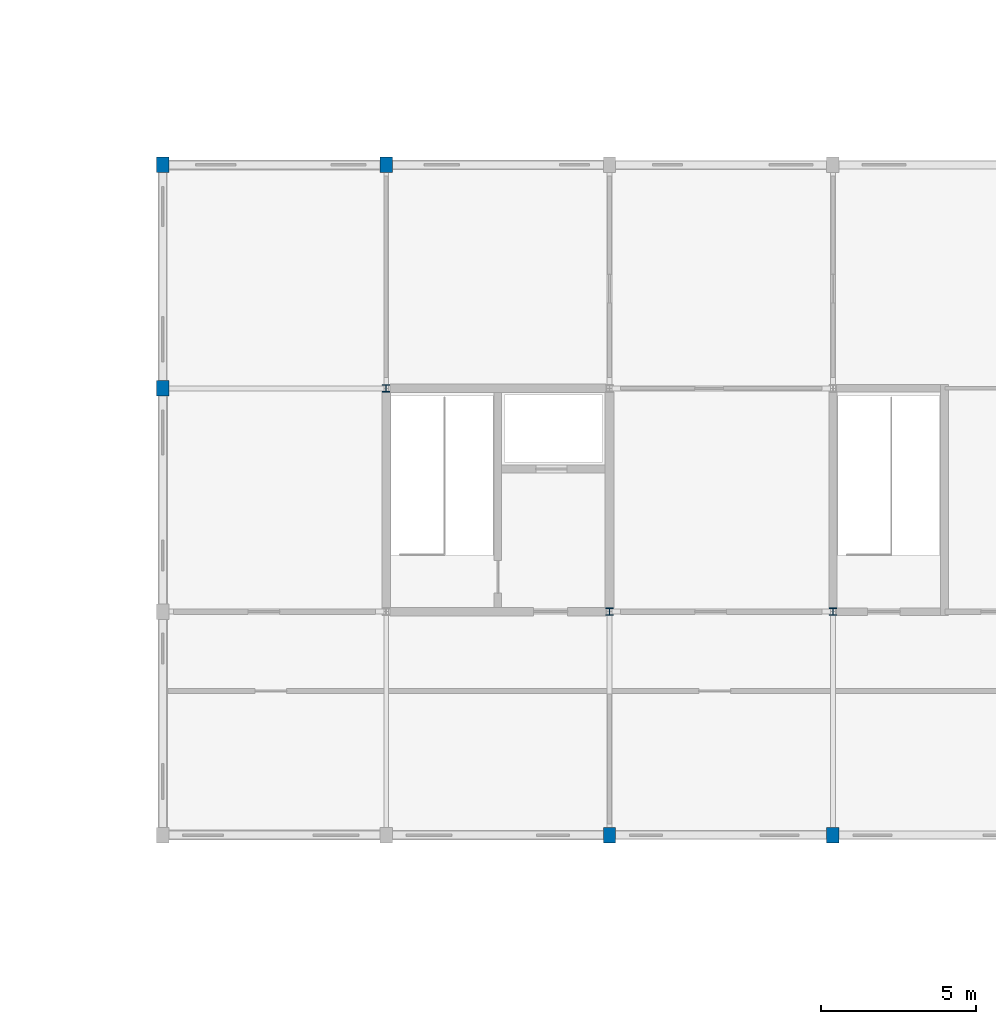
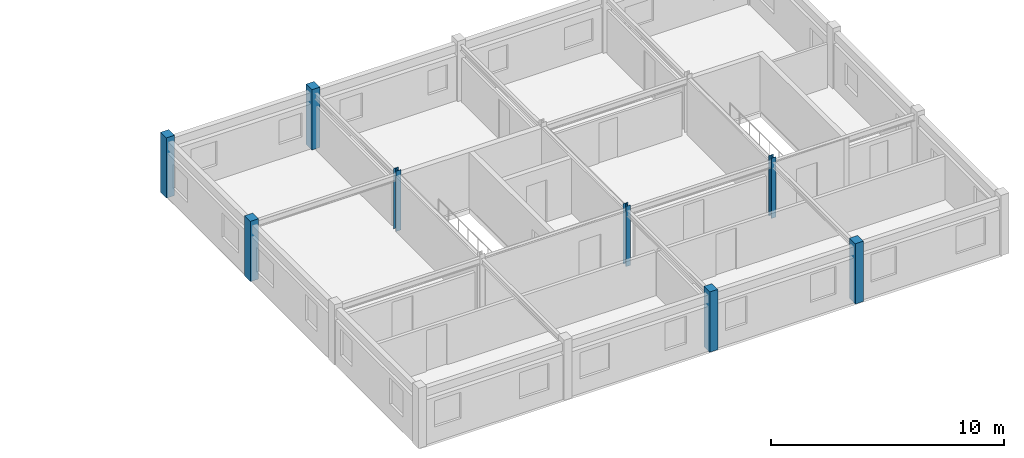
# One storey, part 6 of 50: 8 columns.
"""IFC4 building model written with IfcOpenShell, lengths in metres."""

from ifc_helpers import new_model, si_unit, direction, frame, origin, origin_2d, place, context, subcontext, project, spatial, rectangle, i_section, extrude, material, material_profile, profile_set, type_object, element, save


model = new_model("IFC4")

# Units and contexts
model_context = context("Model", 3, precision=1e-05, world=origin(), true_north=direction((0.0, 1.0)))
body_context = subcontext(model_context, "Body", "Model", "MODEL_VIEW")
ifc_project = project(units=[si_unit("LENGTHUNIT", "METRE"), si_unit("AREAUNIT", "SQUARE_METRE"), si_unit("VOLUMEUNIT", "CUBIC_METRE"), si_unit("PLANEANGLEUNIT", "RADIAN"), si_unit("MASSUNIT", "GRAM", prefix="KILO"), si_unit("THERMODYNAMICTEMPERATUREUNIT", "KELVIN"), si_unit("POWERUNIT", "WATT")], contexts=[model_context])

# Site, building, storey
site_placement = place(None, origin())
site = spatial("IfcSite", under=ifc_project, at=site_placement, CompositionType="ELEMENT")
building_placement = place(site_placement, origin())
building = spatial("IfcBuilding", under=site, at=building_placement, Name="Tavuni Mirador Residences", CompositionType="ELEMENT")
storey_placement = place(building_placement, frame((0.0, 0.0, 4.5)))
storey = spatial("IfcBuildingStorey", under=building, at=storey_placement, Name="L01", CompositionType="ELEMENT", Elevation=4.5)

# Columns
ifc_material_1 = material(Name="Precast concrete C40/50", Category="concrete")
ifc_material_profile_1 = material_profile(ifc_material_1, rectangle(XDim=0.39990234375, YDim=0.5, at=origin_2d()), Name="PC 400x500", Category="concrete")
ifc_profile_set_1 = profile_set([ifc_material_profile_1], Name="Precast concrete C40/50")
column_type_1 = type_object("IfcColumnType", Name="CT-PC400X500", PredefinedType="COLUMN", material=ifc_profile_set_1)
for number, where, z_axis, x_axis, name in (
    (1, (90.0, 57.60009765625, 0.0), (0.0, 0.0, 1.0), (1.0, 0.0, 0.0), "COL-PAV-NURS-L01-00-02"),
    (2, (90.0, 64.800048828125, 0.0), (0.0, 0.0, 1.0), (1.0, 0.0, 0.0), "COL-PAV-NURS-L01-00-03"),
    (3, (97.199951171875, 64.800048828125, 0.0), (0.0, 0.0, 1.0), (1.0, 0.0, 0.0), "COL-PAV-NURS-L01-01-03"),
    (4, (104.39990234375, 43.199951171875, 0.0), (0.0, 0.0, 1.0), (1.0, 0.0, 0.0), "COL-PAV-NURS-L01-02-00"),
    (5, (111.60009765625, 43.199951171875, 0.0), (0.0, 0.0, 1.0), (1.0, 0.0, 0.0), "COL-PAV-NURS-L01-03-00"),
):
    element("IfcColumn", number, at=place(storey_placement, frame(where, z_axis=z_axis, x_axis=x_axis)), inside=storey, type_object=column_type_1, Name=name, PredefinedType="COLUMN", context=body_context, shape_type="SweptSolid", body=[
        extrude(rectangle(XDim=0.39990234375, YDim=0.5, at=origin_2d()), origin(), (0.0, 0.0, 1.0), 3.14990234375),
    ])
ifc_material_2 = material(Name="Structural steel S355", Category="steel")
ifc_material_profile_2 = material_profile(ifc_material_2, i_section(OverallWidth=0.239990234375, OverallDepth=0.239990234375, WebThickness=0.010009765625, FlangeThickness=0.01708984375, FilletRadius=0.02099609375, at=origin_2d()), Name="HEB 240", Category="steel")
ifc_profile_set_2 = profile_set([ifc_material_profile_2], Name="Structural steel S355")
column_type_2 = type_object("IfcColumnType", Name="CT-ST-HEB240", PredefinedType="COLUMN", material=ifc_profile_set_2)
for number, where, z_axis, x_axis, name in (
    (6, (97.199951171875, 57.60009765625, 0.0), (0.0, 0.0, 1.0), (1.0, 0.0, 0.0), "COL-PAV-NURS-L01-01-02"),
    (7, (104.39990234375, 50.39990234375, 0.0), (0.0, 0.0, 1.0), (1.0, 0.0, 0.0), "COL-PAV-NURS-L01-02-01"),
    (8, (111.60009765625, 50.39990234375, 0.0), (0.0, 0.0, 1.0), (1.0, 0.0, 0.0), "COL-PAV-NURS-L01-03-01"),
):
    element("IfcColumn", number, at=place(storey_placement, frame(where, z_axis=z_axis, x_axis=x_axis)), inside=storey, type_object=column_type_2, Name=name, PredefinedType="COLUMN", context=body_context, shape_type="SweptSolid", body=[
        extrude(i_section(OverallWidth=0.239990234375, OverallDepth=0.239990234375, WebThickness=0.010009765625, FlangeThickness=0.01708984375, FilletRadius=0.02099609375, at=origin_2d()), origin(), (0.0, 0.0, 1.0), 3.14990234375),
    ])

save(model, "model.ifc")
